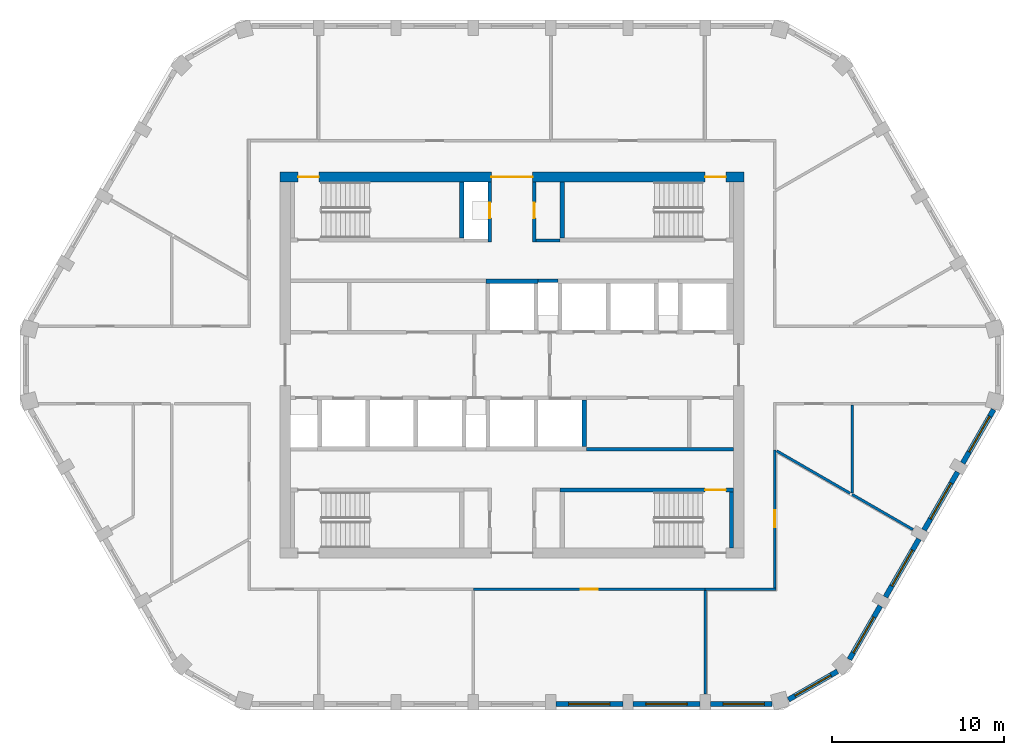
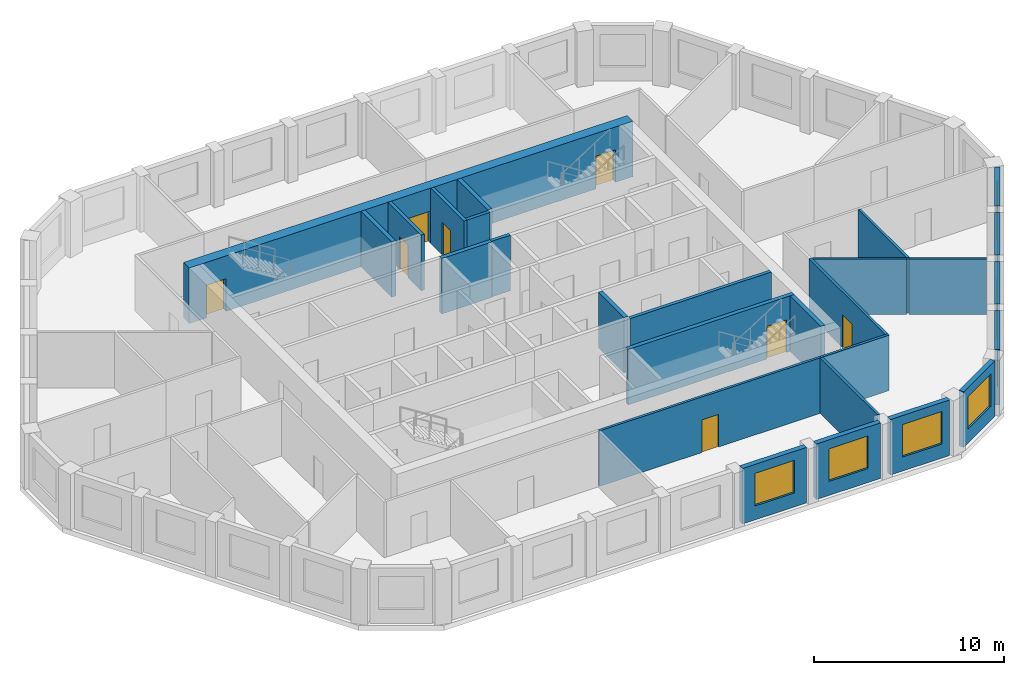
# One storey, part 4 of 10: 27 walls, 8 doors, 8 windows, 16 openings.
"""IFC4 building model written with IfcOpenShell, lengths in metres."""

from ifc_helpers import new_model, si_unit, direction, frame, frame_2d, origin, place, context, subcontext, project, spatial, polyline, rectangle, outline, extrude, material, layer, layer_set, type_object, element, fill, save


model = new_model("IFC4")

# Units and contexts
model_context = context("Model", 3, precision=1e-05, world=origin(), true_north=direction((0.0, 1.0)))
body_context = subcontext(model_context, "Body", "Model", "MODEL_VIEW")
ifc_project = project(units=[si_unit("LENGTHUNIT", "METRE"), si_unit("AREAUNIT", "SQUARE_METRE"), si_unit("VOLUMEUNIT", "CUBIC_METRE"), si_unit("PLANEANGLEUNIT", "RADIAN"), si_unit("MASSUNIT", "GRAM", prefix="KILO")], contexts=[model_context])

# Site, building, storey
site_placement = place(None, origin())
site = spatial("IfcSite", under=ifc_project, at=site_placement, CompositionType="ELEMENT")
building_placement = place(site_placement, origin())
building = spatial("IfcBuilding", under=site, at=building_placement, Name="Dhurran Vertical Campus", CompositionType="ELEMENT")
storey_placement = place(building_placement, frame((0.0, 0.0, 302.10009765625)))
storey = spatial("IfcBuildingStorey", under=building, at=storey_placement, Name="L75", CompositionType="ELEMENT", Elevation=302.10009765625)

# Wall, opening, window
ifc_material_1 = material(Name="Precast concrete C50/60", Category="concrete")
ifc_layer_1 = layer(ifc_material_1, 0.300048828125)
ifc_layer_set_1 = layer_set([ifc_layer_1], Name="Precast concrete C50/60")
wall_type_1 = type_object("IfcWallType", Name="Precast spandrel wall 300", PredefinedType="SOLIDWALL", material=ifc_layer_set_1)
wall_1_placement = place(storey_placement, frame((2.550537109375, -19.738525390625, 0.0), z_axis=(0.0, 0.0, 1.0), x_axis=(1.0, 0.0, 0.0)))
wall_1 = element("IfcWall", 1, at=wall_1_placement, inside=storey, type_object=wall_type_1, Name="EW1 L75.04", PredefinedType="SOLIDWALL", context=body_context, shape_type="SweptSolid", body=[
    extrude(rectangle(XDim=3.89892578125, YDim=0.300048828125, at=frame_2d((1.949462890625, 0.0))), origin(), (0.0, 0.0, 1.0), 3.574951171875),
])
opening_1_placement = place(wall_1_placement, frame((0.74951171875, 0.0, 0.89990234375)))
opening_1 = element("IfcOpeningElement", 2, at=opening_1_placement, cuts=wall_1, Name="Opening WT1", PredefinedType="OPENING", context=body_context, shape_type="SweptSolid", body=[
    extrude(rectangle(XDim=2.39990234375, YDim=2.10009765625, at=frame_2d((1.199951171875, 1.050048828125))), frame((0.0, 0.159912109375, 0.0), z_axis=(0.0, -1.0, 0.0), x_axis=(1.0, 0.0, 0.0)), (0.0, 0.0, 1.0), 0.320068359375),
])
ifc_material_2 = material(Name="Aluminium frame with solar-control glass", Category="aluminium")
window_type = type_object("IfcWindowType", Name="Punched window 2400 x 2100", PartitioningType="SINGLE_PANEL", PredefinedType="WINDOW", material=ifc_material_2)
window_1_placement = place(opening_1_placement, origin())
window_1 = element("IfcWindow", 3, at=window_1_placement, inside=storey, type_object=window_type, Name="WT1 L75.04", OverallHeight=2.10009765625, OverallWidth=2.39990234375, PartitioningType="SINGLE_PANEL", PredefinedType="WINDOW", context=body_context, shape_type="SweptSolid", body=[
    extrude(rectangle(XDim=2.39990234375, YDim=2.10009765625, at=frame_2d((1.199951171875, 1.050048828125))), frame((0.0, 0.030029296875, 0.0), z_axis=(0.0, -1.0, 0.0), x_axis=(1.0, 0.0, 0.0)), (0.0, 0.0, 1.0), 0.06005859375),
])
fill(opening_1, window_1)

wall_2_placement = place(storey_placement, frame((7.050537109375, -19.738525390625, 0.0), z_axis=(0.0, 0.0, 1.0), x_axis=(1.0, 0.0, 0.0)))
wall_2 = element("IfcWall", 4, at=wall_2_placement, inside=storey, type_object=wall_type_1, Name="EW1 L75.05", PredefinedType="SOLIDWALL", context=body_context, shape_type="SweptSolid", body=[
    extrude(rectangle(XDim=3.89892578125, YDim=0.300048828125, at=frame_2d((1.949462890625, 0.0))), origin(), (0.0, 0.0, 1.0), 3.574951171875),
])
opening_2_placement = place(wall_2_placement, frame((0.74951171875, 0.0, 0.89990234375)))
opening_2 = element("IfcOpeningElement", 5, at=opening_2_placement, cuts=wall_2, Name="Opening WT1", PredefinedType="OPENING", context=body_context, shape_type="SweptSolid", body=[
    extrude(rectangle(XDim=2.39990234375, YDim=2.10009765625, at=frame_2d((1.199951171875, 1.050048828125))), frame((0.0, 0.159912109375, 0.0), z_axis=(0.0, -1.0, 0.0), x_axis=(1.0, 0.0, 0.0)), (0.0, 0.0, 1.0), 0.320068359375),
])
window_2_placement = place(opening_2_placement, origin())
window_2 = element("IfcWindow", 6, at=window_2_placement, inside=storey, type_object=window_type, Name="WT1 L75.05", OverallHeight=2.10009765625, OverallWidth=2.39990234375, PartitioningType="SINGLE_PANEL", PredefinedType="WINDOW", context=body_context, shape_type="SweptSolid", body=[
    extrude(rectangle(XDim=2.39990234375, YDim=2.10009765625, at=frame_2d((1.199951171875, 1.050048828125))), frame((0.0, 0.030029296875, 0.0), z_axis=(0.0, -1.0, 0.0), x_axis=(1.0, 0.0, 0.0)), (0.0, 0.0, 1.0), 0.06005859375),
])
fill(opening_2, window_2)

wall_3_placement = place(storey_placement, frame((11.550537109375, -19.738525390625, 0.0), z_axis=(0.0, 0.0, 1.0), x_axis=(1.0, 0.0, 0.0)))
wall_3 = element("IfcWall", 7, at=wall_3_placement, inside=storey, type_object=wall_type_1, Name="EW1 L75.06", PredefinedType="SOLIDWALL", context=body_context, shape_type="SweptSolid", body=[
    extrude(rectangle(XDim=3.599365234375, YDim=0.300048828125, at=frame_2d((1.7998046875, 0.0))), origin(), (0.0, 0.0, 1.0), 3.574951171875),
])
opening_3_placement = place(wall_3_placement, frame((0.74951171875, 0.0, 0.89990234375)))
opening_3 = element("IfcOpeningElement", 8, at=opening_3_placement, cuts=wall_3, Name="Opening WT1", PredefinedType="OPENING", context=body_context, shape_type="SweptSolid", body=[
    extrude(rectangle(XDim=2.39990234375, YDim=2.10009765625, at=frame_2d((1.199951171875, 1.050048828125))), frame((0.0, 0.159912109375, 0.0), z_axis=(0.0, -1.0, 0.0), x_axis=(1.0, 0.0, 0.0)), (0.0, 0.0, 1.0), 0.320068359375),
])
window_3_placement = place(opening_3_placement, origin())
window_3 = element("IfcWindow", 9, at=window_3_placement, inside=storey, type_object=window_type, Name="WT1 L75.06", OverallHeight=2.10009765625, OverallWidth=2.39990234375, PartitioningType="SINGLE_PANEL", PredefinedType="WINDOW", context=body_context, shape_type="SweptSolid", body=[
    extrude(rectangle(XDim=2.39990234375, YDim=2.10009765625, at=frame_2d((1.199951171875, 1.050048828125))), frame((0.0, 0.030029296875, 0.0), z_axis=(0.0, -1.0, 0.0), x_axis=(1.0, 0.0, 0.0)), (0.0, 0.0, 1.0), 0.06005859375),
])
fill(opening_3, window_3)

wall_4_placement = place(storey_placement, frame((16.0947265625, -19.4853515625, 0.0), z_axis=(0.0, 0.0, 1.0), x_axis=(0.866021716278, 0.500006386895, 0.0)))
wall_4 = element("IfcWall", 10, at=wall_4_placement, inside=storey, type_object=wall_type_1, Name="EW1 L75.07", PredefinedType="SOLIDWALL", context=body_context, shape_type="SweptSolid", body=[
    extrude(rectangle(XDim=3.2998046875, YDim=0.300048828125, at=frame_2d((1.64990234375, 0.0))), origin(), (0.0, 0.0, 1.0), 3.574951171875),
])
opening_4_placement = place(wall_4_placement, frame((0.449951171875, 0.0, 0.89990234375)))
opening_4 = element("IfcOpeningElement", 11, at=opening_4_placement, cuts=wall_4, Name="Opening WT1", PredefinedType="OPENING", context=body_context, shape_type="SweptSolid", body=[
    extrude(rectangle(XDim=2.39990234375, YDim=2.10009765625, at=frame_2d((1.199951171875, 1.050048828125))), frame((0.0, 0.159912109375, 0.0), z_axis=(0.0, -1.0, 0.0), x_axis=(1.0, 0.0, 0.0)), (0.0, 0.0, 1.0), 0.320068359375),
])
window_4_placement = place(opening_4_placement, origin())
window_4 = element("IfcWindow", 12, at=window_4_placement, inside=storey, type_object=window_type, Name="WT1 L75.07", OverallHeight=2.10009765625, OverallWidth=2.39990234375, PartitioningType="SINGLE_PANEL", PredefinedType="WINDOW", context=body_context, shape_type="SweptSolid", body=[
    extrude(rectangle(XDim=2.39990234375, YDim=2.10009765625, at=frame_2d((1.199951171875, 1.050048828125))), frame((0.0, 0.030029296875, 0.0), z_axis=(0.0, -1.0, 0.0), x_axis=(1.0, 0.0, 0.0)), (0.0, 0.0, 1.0), 0.06005859375),
])
fill(opening_4, window_4)

wall_5_placement = place(storey_placement, frame((19.64404296875, -17.143798828125, 0.0), z_axis=(0.0, 0.0, 1.0), x_axis=(0.50001992892, 0.866013897511, 0.0)))
wall_5 = element("IfcWall", 13, at=wall_5_placement, inside=storey, type_object=wall_type_1, Name="EW1 L75.08", PredefinedType="SOLIDWALL", context=body_context, shape_type="SweptSolid", body=[
    extrude(rectangle(XDim=3.599365234375, YDim=0.300048828125, at=frame_2d((1.7998046875, 0.0))), origin(), (0.0, 0.0, 1.0), 3.574951171875),
])
opening_5_placement = place(wall_5_placement, frame((0.449951171875, 0.0, 0.89990234375)))
opening_5 = element("IfcOpeningElement", 14, at=opening_5_placement, cuts=wall_5, Name="Opening WT1", PredefinedType="OPENING", context=body_context, shape_type="SweptSolid", body=[
    extrude(rectangle(XDim=2.39990234375, YDim=2.10009765625, at=frame_2d((1.199951171875, 1.050048828125))), frame((0.0, 0.159912109375, 0.0), z_axis=(0.0, -1.0, 0.0), x_axis=(1.0, 0.0, 0.0)), (0.0, 0.0, 1.0), 0.320068359375),
])
window_5_placement = place(opening_5_placement, origin())
window_5 = element("IfcWindow", 15, at=window_5_placement, inside=storey, type_object=window_type, Name="WT1 L75.08", OverallHeight=2.10009765625, OverallWidth=2.39990234375, PartitioningType="SINGLE_PANEL", PredefinedType="WINDOW", context=body_context, shape_type="SweptSolid", body=[
    extrude(rectangle(XDim=2.39990234375, YDim=2.10009765625, at=frame_2d((1.199951171875, 1.050048828125))), frame((0.0, 0.030029296875, 0.0), z_axis=(0.0, -1.0, 0.0), x_axis=(1.0, 0.0, 0.0)), (0.0, 0.0, 1.0), 0.06005859375),
])
fill(opening_5, window_5)

wall_6_placement = place(storey_placement, frame((21.744384765625, -13.506103515625, 0.0), z_axis=(0.0, 0.0, 1.0), x_axis=(0.499984428715, 0.866034393683, 0.0)))
wall_6 = element("IfcWall", 16, at=wall_6_placement, inside=storey, type_object=wall_type_1, Name="EW1 L75.09", PredefinedType="SOLIDWALL", context=body_context, shape_type="SweptSolid", body=[
    extrude(rectangle(XDim=3.89892578125, YDim=0.300048828125, at=frame_2d((1.949462890625, 0.0))), origin(), (0.0, 0.0, 1.0), 3.574951171875),
])
opening_6_placement = place(wall_6_placement, frame((0.74951171875, 0.0, 0.89990234375)))
opening_6 = element("IfcOpeningElement", 17, at=opening_6_placement, cuts=wall_6, Name="Opening WT1", PredefinedType="OPENING", context=body_context, shape_type="SweptSolid", body=[
    extrude(rectangle(XDim=2.39990234375, YDim=2.10009765625, at=frame_2d((1.199951171875, 1.050048828125))), frame((0.0, 0.159912109375, 0.0), z_axis=(0.0, -1.0, 0.0), x_axis=(1.0, 0.0, 0.0)), (0.0, 0.0, 1.0), 0.320068359375),
])
window_6_placement = place(opening_6_placement, origin())
window_6 = element("IfcWindow", 18, at=window_6_placement, inside=storey, type_object=window_type, Name="WT1 L75.09", OverallHeight=2.10009765625, OverallWidth=2.39990234375, PartitioningType="SINGLE_PANEL", PredefinedType="WINDOW", context=body_context, shape_type="SweptSolid", body=[
    extrude(rectangle(XDim=2.39990234375, YDim=2.10009765625, at=frame_2d((1.199951171875, 1.050048828125))), frame((0.0, 0.030029296875, 0.0), z_axis=(0.0, -1.0, 0.0), x_axis=(1.0, 0.0, 0.0)), (0.0, 0.0, 1.0), 0.06005859375),
])
fill(opening_6, window_6)

wall_7_placement = place(storey_placement, frame((23.994384765625, -9.60888671875, 0.0), z_axis=(0.0, 0.0, 1.0), x_axis=(0.500011542666, 0.866018739521, 0.0)))
wall_7 = element("IfcWall", 19, at=wall_7_placement, inside=storey, type_object=wall_type_1, Name="EW1 L75.10", PredefinedType="SOLIDWALL", context=body_context, shape_type="SweptSolid", body=[
    extrude(rectangle(XDim=3.89892578125, YDim=0.300048828125, at=frame_2d((1.949462890625, 0.0))), origin(), (0.0, 0.0, 1.0), 3.574951171875),
])
opening_7_placement = place(wall_7_placement, frame((0.74951171875, 0.0, 0.89990234375)))
opening_7 = element("IfcOpeningElement", 20, at=opening_7_placement, cuts=wall_7, Name="Opening WT1", PredefinedType="OPENING", context=body_context, shape_type="SweptSolid", body=[
    extrude(rectangle(XDim=2.39990234375, YDim=2.10009765625, at=frame_2d((1.199951171875, 1.050048828125))), frame((0.0, 0.159912109375, 0.0), z_axis=(0.0, -1.0, 0.0), x_axis=(1.0, 0.0, 0.0)), (0.0, 0.0, 1.0), 0.320068359375),
])
window_7_placement = place(opening_7_placement, origin())
window_7 = element("IfcWindow", 21, at=window_7_placement, inside=storey, type_object=window_type, Name="WT1 L75.10", OverallHeight=2.10009765625, OverallWidth=2.39990234375, PartitioningType="SINGLE_PANEL", PredefinedType="WINDOW", context=body_context, shape_type="SweptSolid", body=[
    extrude(rectangle(XDim=2.39990234375, YDim=2.10009765625, at=frame_2d((1.199951171875, 1.050048828125))), frame((0.0, 0.030029296875, 0.0), z_axis=(0.0, -1.0, 0.0), x_axis=(1.0, 0.0, 0.0)), (0.0, 0.0, 1.0), 0.06005859375),
])
fill(opening_7, window_7)

wall_8_placement = place(storey_placement, frame((26.244384765625, -5.7119140625, 0.0), z_axis=(0.0, 0.0, 1.0), x_axis=(0.499969057507, 0.866043267704, 0.0)))
wall_8 = element("IfcWall", 22, at=wall_8_placement, inside=storey, type_object=wall_type_1, Name="EW1 L75.11", PredefinedType="SOLIDWALL", context=body_context, shape_type="SweptSolid", body=[
    extrude(rectangle(XDim=3.599365234375, YDim=0.300048828125, at=frame_2d((1.7998046875, 0.0))), origin(), (0.0, 0.0, 1.0), 3.574951171875),
])
opening_8_placement = place(wall_8_placement, frame((0.74951171875, 0.0, 0.89990234375)))
opening_8 = element("IfcOpeningElement", 23, at=opening_8_placement, cuts=wall_8, Name="Opening WT1", PredefinedType="OPENING", context=body_context, shape_type="SweptSolid", body=[
    extrude(rectangle(XDim=2.39990234375, YDim=2.10009765625, at=frame_2d((1.199951171875, 1.050048828125))), frame((0.0, 0.159912109375, 0.0), z_axis=(0.0, -1.0, 0.0), x_axis=(1.0, 0.0, 0.0)), (0.0, 0.0, 1.0), 0.320068359375),
])
window_8_placement = place(opening_8_placement, origin())
window_8 = element("IfcWindow", 24, at=window_8_placement, inside=storey, type_object=window_type, Name="WT1 L75.11", OverallHeight=2.10009765625, OverallWidth=2.39990234375, PartitioningType="SINGLE_PANEL", PredefinedType="WINDOW", context=body_context, shape_type="SweptSolid", body=[
    extrude(rectangle(XDim=2.39990234375, YDim=2.10009765625, at=frame_2d((1.199951171875, 1.050048828125))), frame((0.0, 0.030029296875, 0.0), z_axis=(0.0, -1.0, 0.0), x_axis=(1.0, 0.0, 0.0)), (0.0, 0.0, 1.0), 0.06005859375),
])
fill(opening_8, window_8)

# Wall, openings, doors
ifc_material_3 = material(Name="Concrete C50/60", Category="concrete")
ifc_layer_2 = layer(ifc_material_3, 0.60009765625)
ifc_layer_set_2 = layer_set([ifc_layer_2], Name="Concrete C50/60")
wall_type_2 = type_object("IfcWallType", Name="co-CORE-WALL-C2-600", PredefinedType="SHEAR", material=ifc_layer_set_2)
wall_9_placement = place(storey_placement, frame((-13.5, 10.949951171875, 0.0), z_axis=(0.0, 0.0, 1.0), x_axis=(1.0, 0.0, 0.0)))
wall_9 = element("IfcWall", 25, at=wall_9_placement, inside=storey, type_object=wall_type_2, Name="Core wall N L75", PredefinedType="SHEAR", context=body_context, shape_type="SweptSolid", body=[
    extrude(rectangle(XDim=27.0, YDim=0.60009765625, at=frame_2d((13.5, 0.0))), origin(), (0.0, 0.0, 1.0), 3.574951171875),
])
opening_9_placement = place(wall_9_placement, frame((12.300048828125, 0.0, 0.0)))
opening_9 = element("IfcOpeningElement", 26, at=opening_9_placement, cuts=wall_9, Name="Opening CV1", PredefinedType="OPENING", context=body_context, shape_type="SweptSolid", body=[
    extrude(rectangle(XDim=2.39990234375, YDim=2.10009765625, at=frame_2d((1.199951171875, 1.050048828125))), frame((0.0, 0.31005859375, 0.0), z_axis=(0.0, -1.0, 0.0), x_axis=(1.0, 0.0, 0.0)), (0.0, 0.0, 1.0), 0.6201171875),
])
opening_10_placement = place(wall_9_placement, frame((1.050048828125, 0.0, 0.0)))
opening_10 = element("IfcOpeningElement", 27, at=opening_10_placement, cuts=wall_9, Name="Opening XD1", PredefinedType="OPENING", context=body_context, shape_type="SweptSolid", body=[
    extrude(rectangle(XDim=1.199951171875, YDim=2.10009765625, at=frame_2d((0.60009765625, 1.050048828125))), frame((0.0, 0.31005859375, 0.0), z_axis=(0.0, -1.0, 0.0), x_axis=(1.0, 0.0, 0.0)), (0.0, 0.0, 1.0), 0.6201171875),
])
opening_11_placement = place(wall_9_placement, frame((24.75, 0.0, 0.0)))
opening_11 = element("IfcOpeningElement", 28, at=opening_11_placement, cuts=wall_9, Name="Opening XD2", PredefinedType="OPENING", context=body_context, shape_type="SweptSolid", body=[
    extrude(rectangle(XDim=1.199951171875, YDim=2.10009765625, at=frame_2d((0.60009765625, 1.050048828125))), frame((0.0, 0.31005859375, 0.0), z_axis=(0.0, -1.0, 0.0), x_axis=(1.0, 0.0, 0.0)), (0.0, 0.0, 1.0), 0.6201171875),
])
ifc_material_4 = material(Name="Fire-rated glazed door set")
door_type_1 = type_object("IfcDoorType", Name="co-D-LOBBY 2400x2100", OperationType="DOUBLE_DOOR_DOUBLE_SWING", PredefinedType="DOOR", material=ifc_material_4)
door_1_placement = place(opening_9_placement, origin())
door_1 = element("IfcDoor", 29, at=door_1_placement, inside=storey, type_object=door_type_1, Name="Core vestibule door N L75", OperationType="DOUBLE_DOOR_DOUBLE_SWING", OverallHeight=2.10009765625, OverallWidth=2.39990234375, PredefinedType="DOOR", context=body_context, shape_type="SweptSolid", body=[
    extrude(rectangle(XDim=2.39990234375, YDim=2.10009765625, at=frame_2d((1.199951171875, 1.050048828125))), frame((0.0, 0.02490234375, 0.0), z_axis=(0.0, -1.0, 0.0), x_axis=(1.0, 0.0, 0.0)), (0.0, 0.0, 1.0), 0.050048828125),
])
fill(opening_9, door_1)
ifc_material_5 = material(Name="Fire-rated steel door set", Category="steel")
door_type_2 = type_object("IfcDoorType", Name="co-D-STAIR-EXIT 1200x2100", OperationType="SINGLE_SWING_RIGHT", PredefinedType="DOOR", material=ifc_material_5)
door_2_placement = place(opening_10_placement, origin())
door_2 = element("IfcDoor", 30, at=door_2_placement, inside=storey, type_object=door_type_2, Name="Stair ST1 exit door L75", OperationType="SINGLE_SWING_RIGHT", OverallHeight=2.10009765625, OverallWidth=1.199951171875, PredefinedType="DOOR", context=body_context, shape_type="SweptSolid", body=[
    extrude(rectangle(XDim=1.199951171875, YDim=2.10009765625, at=frame_2d((0.60009765625, 1.050048828125))), frame((0.0, 0.02490234375, 0.0), z_axis=(0.0, -1.0, 0.0), x_axis=(1.0, 0.0, 0.0)), (0.0, 0.0, 1.0), 0.050048828125),
])
fill(opening_10, door_2)
door_3_placement = place(opening_11_placement, origin())
door_3 = element("IfcDoor", 31, at=door_3_placement, inside=storey, type_object=door_type_2, Name="Stair ST2 exit door L75", OperationType="SINGLE_SWING_RIGHT", OverallHeight=2.10009765625, OverallWidth=1.199951171875, PredefinedType="DOOR", context=body_context, shape_type="SweptSolid", body=[
    extrude(rectangle(XDim=1.199951171875, YDim=2.10009765625, at=frame_2d((0.60009765625, 1.050048828125))), frame((0.0, 0.02490234375, 0.0), z_axis=(0.0, -1.0, 0.0), x_axis=(1.0, 0.0, 0.0)), (0.0, 0.0, 1.0), 0.050048828125),
])
fill(opening_11, door_3)

# Wall
ifc_material_6 = material(Name="Fire-rated masonry blockwork", Category="masonry")
ifc_layer_3 = layer(ifc_material_6, 0.199951171875)
ifc_layer_set_3 = layer_set([ifc_layer_3], Name="Fire-rated masonry blockwork")
wall_type_3 = type_object("IfcWallType", Name="co-FIRE-PARTITION-200", PredefinedType="PARTITIONING", material=ifc_layer_set_3)
wall_10_placement = place(storey_placement, frame((1.39990234375, 7.25, 0.0), z_axis=(0.0, 0.0, 1.0), x_axis=(1.0, 0.0, 0.0)))
element("IfcWall", 32, at=wall_10_placement, inside=storey, type_object=wall_type_3, Name="Core partition sl-NE-S L75", PredefinedType="PARTITIONING", context=body_context, shape_type="SweptSolid", body=[
    extrude(rectangle(XDim=1.400146484375, YDim=0.199951171875, at=frame_2d((0.7001953125, 0.0))), origin(), (0.0, 0.0, 1.0), 3.574951171875),
])

# Wall, opening, door
wall_11_placement = place(storey_placement, frame((-1.300048828125, 7.14990234375, 0.0), z_axis=(0.0, 0.0, 1.0), x_axis=(0.0, 1.0, 0.0)))
wall_11 = element("IfcWall", 33, at=wall_11_placement, inside=storey, type_object=wall_type_3, Name="Core partition vest-NW L75", PredefinedType="PARTITIONING", context=body_context, shape_type="SweptSolid", body=[
    extrude(rectangle(XDim=3.5, YDim=0.199951171875, at=frame_2d((1.75, 0.0))), origin(), (0.0, 0.0, 1.0), 3.574951171875),
])
opening_12_placement = place(wall_11_placement, frame((1.39990234375, 0.0, 0.0)))
opening_12 = element("IfcOpeningElement", 34, at=opening_12_placement, cuts=wall_11, Name="Opening T22-C3", PredefinedType="OPENING", context=body_context, shape_type="SweptSolid", body=[
    extrude(rectangle(XDim=0.89990234375, YDim=2.10009765625, at=frame_2d((0.449951171875, 1.050048828125))), frame((0.0, 0.10986328125, 0.0), z_axis=(0.0, -1.0, 0.0), x_axis=(1.0, 0.0, 0.0)), (0.0, 0.0, 1.0), 0.219970703125),
])
ifc_material_7 = material(Name="Fire-rated timber door set", Category="wood")
door_type_3 = type_object("IfcDoorType", Name="co-D-ROOM 900x2100", OperationType="SINGLE_SWING_LEFT", PredefinedType="DOOR", material=ifc_material_7)
door_4_placement = place(opening_12_placement, origin())
door_4 = element("IfcDoor", 35, at=door_4_placement, inside=storey, type_object=door_type_3, Name="Electrical riser door L75", OperationType="SINGLE_SWING_LEFT", OverallHeight=2.10009765625, OverallWidth=0.89990234375, PredefinedType="DOOR", context=body_context, shape_type="SweptSolid", body=[
    extrude(rectangle(XDim=0.89990234375, YDim=2.10009765625, at=frame_2d((0.449951171875, 1.050048828125))), frame((0.0, 0.02490234375, 0.0), z_axis=(0.0, -1.0, 0.0), x_axis=(1.0, 0.0, 0.0)), (0.0, 0.0, 1.0), 0.050048828125),
])
fill(opening_12, door_4)

wall_12_placement = place(storey_placement, frame((1.300048828125, 7.14990234375, 0.0), z_axis=(0.0, 0.0, 1.0), x_axis=(0.0, 1.0, 0.0)))
wall_12 = element("IfcWall", 36, at=wall_12_placement, inside=storey, type_object=wall_type_3, Name="Core partition vest-NE L75", PredefinedType="PARTITIONING", context=body_context, shape_type="SweptSolid", body=[
    extrude(rectangle(XDim=3.5, YDim=0.199951171875, at=frame_2d((1.75, 0.0))), origin(), (0.0, 0.0, 1.0), 3.574951171875),
])
opening_13_placement = place(wall_12_placement, frame((1.39990234375, 0.0, 0.0)))
opening_13 = element("IfcOpeningElement", 37, at=opening_13_placement, cuts=wall_12, Name="Opening T22-C4", PredefinedType="OPENING", context=body_context, shape_type="SweptSolid", body=[
    extrude(rectangle(XDim=0.89990234375, YDim=2.10009765625, at=frame_2d((0.449951171875, 1.050048828125))), frame((0.0, 0.10986328125, 0.0), z_axis=(0.0, -1.0, 0.0), x_axis=(1.0, 0.0, 0.0)), (0.0, 0.0, 1.0), 0.219970703125),
])
door_5_placement = place(opening_13_placement, origin())
door_5 = element("IfcDoor", 38, at=door_5_placement, inside=storey, type_object=door_type_3, Name="Print room door L75", OperationType="SINGLE_SWING_LEFT", OverallHeight=2.10009765625, OverallWidth=0.89990234375, PredefinedType="DOOR", context=body_context, shape_type="SweptSolid", body=[
    extrude(rectangle(XDim=0.89990234375, YDim=2.10009765625, at=frame_2d((0.449951171875, 1.050048828125))), frame((0.0, 0.02490234375, 0.0), z_axis=(0.0, -1.0, 0.0), x_axis=(1.0, 0.0, 0.0)), (0.0, 0.0, 1.0), 0.050048828125),
])
fill(opening_13, door_5)

# Walls
wall_13_placement = place(storey_placement, frame((1.52490234375, 4.89990234375, 0.0), z_axis=(0.0, 0.0, 1.0), x_axis=(1.0, 0.0, 0.0)))
element("IfcWall", 39, at=wall_13_placement, inside=storey, type_object=wall_type_3, Name="Core partition fr-N1-b L75", PredefinedType="PARTITIONING", context=body_context, shape_type="SweptSolid", body=[
    extrude(rectangle(XDim=1.150146484375, YDim=0.199951171875, at=frame_2d((0.5751953125, 0.0))), origin(), (0.0, 0.0, 1.0), 3.574951171875),
])
wall_14_placement = place(storey_placement, frame((4.324951171875, -4.89990234375, 0.0), z_axis=(0.0, 0.0, 1.0), x_axis=(1.0, 0.0, 0.0)))
element("IfcWall", 40, at=wall_14_placement, inside=storey, type_object=wall_type_3, Name="Core partition fr-S2-b L75", PredefinedType="PARTITIONING", context=body_context, shape_type="SweptSolid", body=[
    extrude(rectangle(XDim=8.574951171875, YDim=0.199951171875, at=frame_2d((4.28759765625, 0.0))), origin(), (0.0, 0.0, 1.0), 3.574951171875),
])
ifc_material_8 = material(Name="Concrete C50/60", Category="concrete")
ifc_layer_4 = layer(ifc_material_8, 0.25)
ifc_layer_set_4 = layer_set([ifc_layer_4], Name="Concrete C50/60")
wall_type_4 = type_object("IfcWallType", Name="co-SHAFT-MASS-250", PredefinedType="SHEAR", material=ifc_layer_set_4)
wall_15_placement = place(storey_placement, origin())
element("IfcWall", 41, at=wall_15_placement, inside=storey, type_object=wall_type_4, Name="Lift shaft wall N L75 1", PredefinedType="SHEAR", context=body_context, shape_type="SweptSolid", body=[
    extrude(outline(polyline([(-1.52490234375, 4.75), (1.52490234375, 4.75), (1.52490234375, 5.0), (-1.52490234375, 5.0), (-1.52490234375, 4.75)])), origin(), (0.0, 0.0, 1.0), 3.574951171875),
])
wall_16_placement = place(storey_placement, origin())
element("IfcWall", 42, at=wall_16_placement, inside=storey, type_object=wall_type_4, Name="Lift shaft wall S L75 9", PredefinedType="SHEAR", context=body_context, shape_type="SweptSolid", body=[
    extrude(outline(polyline([(4.074951171875, -4.75), (4.324951171875, -4.75), (4.324951171875, -2.050048828125), (4.074951171875, -2.050048828125), (4.074951171875, -4.75)])), origin(), (0.0, 0.0, 1.0), 3.574951171875),
])
ifc_material_9 = material(Name="Concrete C40/50", Category="concrete")
ifc_layer_5 = layer(ifc_material_9, 0.25)
ifc_layer_set_5 = layer_set([ifc_layer_5], Name="Concrete C40/50")
wall_type_5 = type_object("IfcWallType", Name="co-STAIR-WALL-250", PredefinedType="SHEAR", material=ifc_layer_set_5)
for number, where, z_axis, x_axis, name in (
    (43, (-2.925048828125, 7.39990234375, 0.0), (0.0, 0.0, 1.0), (0.0, 1.0, 0.0), "Stair ST1 enclosure wall L75"),
    (44, (2.925048828125, 7.39990234375, 0.0), (0.0, 0.0, 1.0), (0.0, 1.0, 0.0), "Stair ST2 enclosure wall L75"),
):
    element("IfcWall", number, at=place(storey_placement, frame(where, z_axis=z_axis, x_axis=x_axis)), inside=storey, type_object=wall_type_5, Name=name, PredefinedType="SHEAR", context=body_context, shape_type="SweptSolid", body=[
        extrude(rectangle(XDim=3.25, YDim=0.25, at=frame_2d((1.625, 0.0))), origin(), (0.0, 0.0, 1.0), 3.574951171875),
    ])

# Wall, opening, door
wall_17_placement = place(storey_placement, frame((2.800048828125, -7.27490234375, 0.0), z_axis=(0.0, 0.0, 1.0), x_axis=(1.0, 0.0, 0.0)))
wall_17 = element("IfcWall", 45, at=wall_17_placement, inside=storey, type_object=wall_type_5, Name="Stair ST4 enclosure wall L75", PredefinedType="SHEAR", context=body_context, shape_type="SweptSolid", body=[
    extrude(rectangle(XDim=10.099853515625, YDim=0.25, at=frame_2d((5.0498046875, 0.0))), origin(), (0.0, 0.0, 1.0), 3.574951171875),
])
opening_14_placement = place(wall_17_placement, frame((8.449951171875, 0.0, 0.0)))
opening_14 = element("IfcOpeningElement", 46, at=opening_14_placement, cuts=wall_17, Name="Opening SD4", PredefinedType="OPENING", context=body_context, shape_type="SweptSolid", body=[
    extrude(rectangle(XDim=1.199951171875, YDim=2.10009765625, at=frame_2d((0.60009765625, 1.050048828125))), frame((0.0, 0.135009765625, 0.0), z_axis=(0.0, -1.0, 0.0), x_axis=(1.0, 0.0, 0.0)), (0.0, 0.0, 1.0), 0.27001953125),
])
ifc_material_10 = material(Name="Fire-rated steel door set", Category="steel")
door_type_4 = type_object("IfcDoorType", Name="co-D-STAIR 1200x2100", OperationType="SINGLE_SWING_LEFT", PredefinedType="DOOR", material=ifc_material_10)
door_6_placement = place(opening_14_placement, origin())
door_6 = element("IfcDoor", 47, at=door_6_placement, inside=storey, type_object=door_type_4, Name="Stair ST4 door L75", OperationType="SINGLE_SWING_LEFT", OverallHeight=2.10009765625, OverallWidth=1.199951171875, PredefinedType="DOOR", context=body_context, shape_type="SweptSolid", body=[
    extrude(rectangle(XDim=1.199951171875, YDim=2.10009765625, at=frame_2d((0.60009765625, 1.050048828125))), frame((0.0, 0.02490234375, 0.0), z_axis=(0.0, -1.0, 0.0), x_axis=(1.0, 0.0, 0.0)), (0.0, 0.0, 1.0), 0.050048828125),
])
fill(opening_14, door_6)

# Wall
wall_18_placement = place(storey_placement, frame((12.77490234375, -10.64990234375, 0.0), z_axis=(0.0, 0.0, 1.0), x_axis=(0.0, 1.0, 0.0)))
element("IfcWall", 48, at=wall_18_placement, inside=storey, type_object=wall_type_5, Name="Stair ST4 enclosure wall L75", PredefinedType="SHEAR", context=body_context, shape_type="SweptSolid", body=[
    extrude(rectangle(XDim=3.25, YDim=0.25, at=frame_2d((1.625, 0.0))), origin(), (0.0, 0.0, 1.0), 3.574951171875),
])

# Wall, opening, door
ifc_material_11 = material(Name="Gypsum board corridor wall on steel studs", Category="steel")
ifc_layer_6 = layer(ifc_material_11, 0.14990234375)
ifc_layer_set_6 = layer_set([ifc_layer_6], Name="Gypsum board corridor wall on steel studs")
wall_type_6 = type_object("IfcWallType", Name="fl-CW-150 corridor wall", PredefinedType="PARTITIONING", material=ifc_layer_set_6)
wall_19_placement = place(storey_placement, frame((-2.25, -13.050048828125, 0.0), z_axis=(0.0, 0.0, 1.0), x_axis=(1.0, 0.0, 0.0)))
wall_19 = element("IfcWall", 49, at=wall_19_placement, inside=storey, type_object=wall_type_6, Name="Partition 75-25", PredefinedType="PARTITIONING", context=body_context, shape_type="SweptSolid", body=[
    extrude(rectangle(XDim=13.5, YDim=0.14990234375, at=frame_2d((6.75, 0.0))), origin(), (0.0, 0.0, 1.0), 3.574951171875),
])
opening_15_placement = place(wall_19_placement, frame((6.25, 0.0, 0.0)))
opening_15 = element("IfcOpeningElement", 50, at=opening_15_placement, cuts=wall_19, Name="Opening T22.10", PredefinedType="OPENING", context=body_context, shape_type="SweptSolid", body=[
    extrude(rectangle(XDim=1.0, YDim=2.10009765625, at=frame_2d((0.5, 1.050048828125))), frame((0.0, 0.0849609375, 0.0), z_axis=(0.0, -1.0, 0.0), x_axis=(1.0, 0.0, 0.0)), (0.0, 0.0, 1.0), 0.169921875),
])
ifc_material_12 = material(Name="Solid-core timber door set, fire-rated", Category="wood")
door_type_5 = type_object("IfcDoorType", Name="fl-D-1000x2100", OperationType="SINGLE_SWING_LEFT", PredefinedType="DOOR", material=ifc_material_12)
door_7_placement = place(opening_15_placement, origin())
door_7 = element("IfcDoor", 51, at=door_7_placement, inside=storey, type_object=door_type_5, Name="Door 75.10", OperationType="SINGLE_SWING_RIGHT", OverallHeight=2.10009765625, OverallWidth=1.0, PredefinedType="DOOR", context=body_context, shape_type="SweptSolid", body=[
    extrude(rectangle(XDim=1.0, YDim=2.10009765625, at=frame_2d((0.5, 1.050048828125))), frame((0.0, 0.02490234375, 0.0), z_axis=(0.0, -1.0, 0.0), x_axis=(1.0, 0.0, 0.0)), (0.0, 0.0, 1.0), 0.050048828125),
])
fill(opening_15, door_7)

# Wall
wall_20_placement = place(storey_placement, frame((11.25, -13.050048828125, 0.0), z_axis=(0.0, 0.0, 1.0), x_axis=(1.0, 0.0, 0.0)))
element("IfcWall", 52, at=wall_20_placement, inside=storey, type_object=wall_type_6, Name="Partition 75-29", PredefinedType="PARTITIONING", context=body_context, shape_type="SweptSolid", body=[
    extrude(rectangle(XDim=4.125, YDim=0.14990234375, at=frame_2d((2.0625, 0.0))), origin(), (0.0, 0.0, 1.0), 3.574951171875),
])

# Wall, opening, door
wall_21_placement = place(storey_placement, frame((15.300048828125, -12.97509765625, 0.0), z_axis=(0.0, 0.0, 1.0), x_axis=(0.0, 1.0, 0.0)))
wall_21 = element("IfcWall", 53, at=wall_21_placement, inside=storey, type_object=wall_type_6, Name="Partition 75-32", PredefinedType="PARTITIONING", context=body_context, shape_type="SweptSolid", body=[
    extrude(rectangle(XDim=8.0390625, YDim=0.14990234375, at=frame_2d((4.01953125, 0.0))), origin(), (0.0, 0.0, 1.0), 3.574951171875),
])
opening_16_placement = place(wall_21_placement, frame((3.51953125, 0.0, 0.0)))
opening_16 = element("IfcOpeningElement", 54, at=opening_16_placement, cuts=wall_21, Name="Opening T22.13", PredefinedType="OPENING", context=body_context, shape_type="SweptSolid", body=[
    extrude(rectangle(XDim=1.0, YDim=2.10009765625, at=frame_2d((0.5, 1.050048828125))), frame((0.0, 0.0849609375, 0.0), z_axis=(0.0, -1.0, 0.0), x_axis=(1.0, 0.0, 0.0)), (0.0, 0.0, 1.0), 0.169921875),
])
door_8_placement = place(opening_16_placement, origin())
door_8 = element("IfcDoor", 55, at=door_8_placement, inside=storey, type_object=door_type_5, Name="Door 75.13", OperationType="SINGLE_SWING_LEFT", OverallHeight=2.10009765625, OverallWidth=1.0, PredefinedType="DOOR", context=body_context, shape_type="SweptSolid", body=[
    extrude(rectangle(XDim=1.0, YDim=2.10009765625, at=frame_2d((0.5, 1.050048828125))), frame((0.0, 0.02490234375, 0.0), z_axis=(0.0, -1.0, 0.0), x_axis=(1.0, 0.0, 0.0)), (0.0, 0.0, 1.0), 0.050048828125),
])
fill(opening_16, door_8)

# Walls
ifc_material_13 = material(Name="Gypsum board partition on steel studs", Category="steel")
ifc_layer_7 = layer(ifc_material_13, 0.14990234375)
ifc_layer_set_7 = layer_set([ifc_layer_7], Name="Gypsum board partition on steel studs")
wall_type_7 = type_object("IfcWallType", Name="fl-PW-150 fixed partition", PredefinedType="PARTITIONING", material=ifc_layer_set_7)
wall_22_placement = place(storey_placement, frame((11.25, -13.125, 0.0), z_axis=(0.0, 0.0, 1.0), x_axis=(0.0, -1.0, 0.0)))
element("IfcWall", 56, at=wall_22_placement, inside=storey, type_object=wall_type_7, Name="Partition 75-28", PredefinedType="PARTITIONING", context=body_context, shape_type="SweptSolid", body=[
    extrude(rectangle(XDim=6.04345703125, YDim=0.14990234375, at=frame_2d((3.021728515625, 0.0))), origin(), (0.0, 0.0, 1.0), 3.574951171875),
])
wall_23_placement = place(storey_placement, frame((15.41259765625, -5.0009765625, 0.0), z_axis=(0.0, 0.0, 1.0), x_axis=(0.866034039096, -0.499985042903, 0.0)))
element("IfcWall", 57, at=wall_23_placement, inside=storey, type_object=wall_type_7, Name="Partition 75-34", PredefinedType="PARTITIONING", context=body_context, shape_type="SweptSolid", body=[
    extrude(rectangle(XDim=4.936279296875, YDim=0.14990234375, at=frame_2d((2.46826171875, 0.0))), origin(), (0.0, 0.0, 1.0), 3.574951171875),
])
wall_24_placement = place(storey_placement, frame((19.800048828125, -2.324951171875, 0.0), z_axis=(0.0, 0.0, 1.0), x_axis=(0.0, -1.0, 0.0)))
element("IfcWall", 58, at=wall_24_placement, inside=storey, type_object=wall_type_7, Name="Partition 75-42", PredefinedType="PARTITIONING", context=body_context, shape_type="SweptSolid", body=[
    extrude(rectangle(XDim=5.134033203125, YDim=0.14990234375, at=frame_2d((2.56689453125, 0.0))), origin(), (0.0, 0.0, 1.0), 3.574951171875),
])
wall_25_placement = place(storey_placement, frame((19.800048828125, -7.533935546875, 0.0), z_axis=(0.0, 0.0, 1.0), x_axis=(0.865995170514, -0.500052361904, 0.0)))
element("IfcWall", 59, at=wall_25_placement, inside=storey, type_object=wall_type_7, Name="Partition 75-43", PredefinedType="PARTITIONING", context=body_context, shape_type="SweptSolid", body=[
    extrude(rectangle(XDim=4.099609375, YDim=0.14990234375, at=frame_2d((2.0498046875, 0.0))), origin(), (0.0, 0.0, 1.0), 3.574951171875),
])

save(model, "model.ifc")
